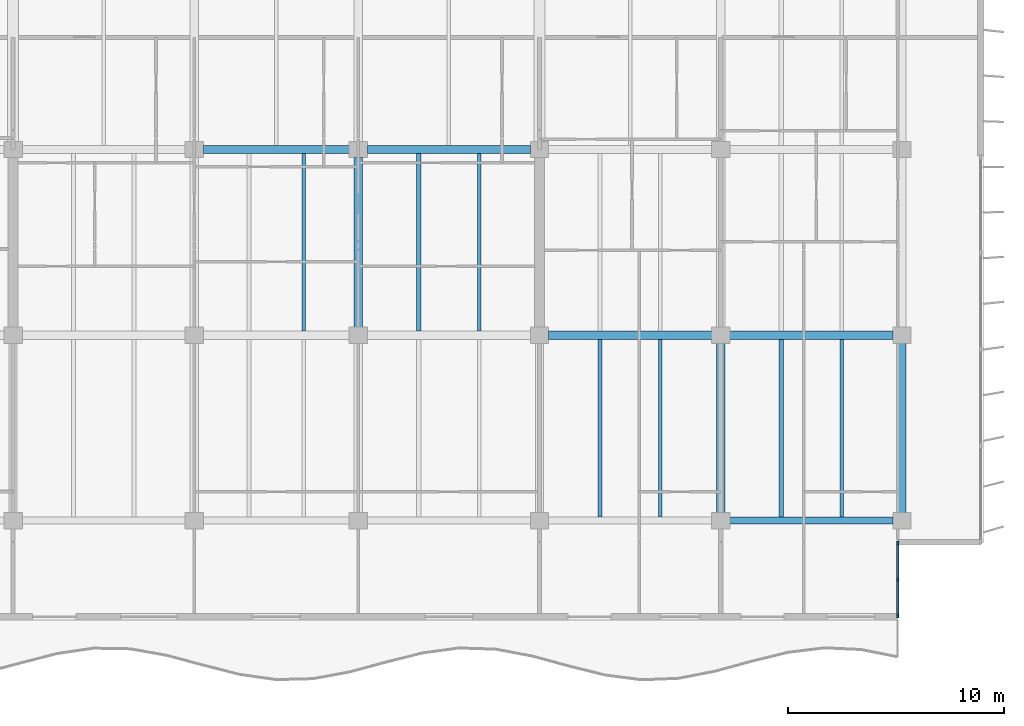
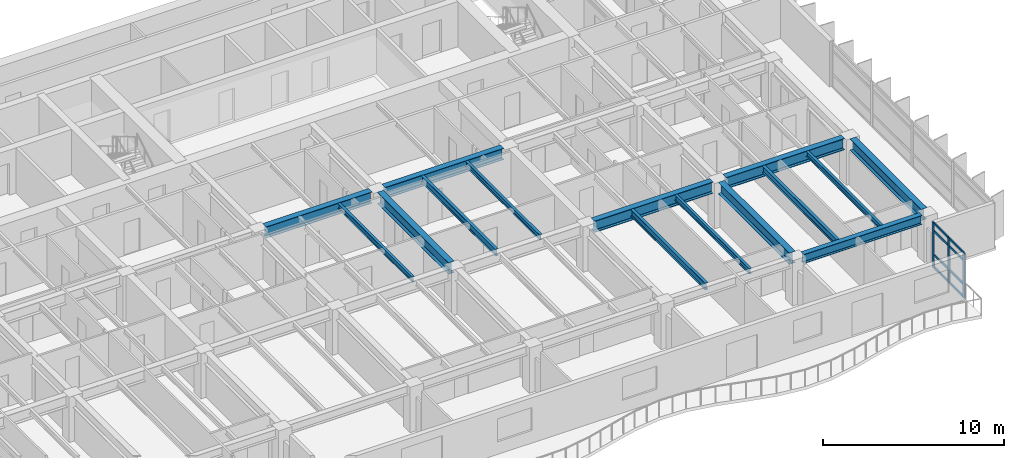
# One storey, part 4 of 18: 15 beams, 11 members, 1 element without a shape of its own.
"""IFC4 building model written with IfcOpenShell, lengths in metres."""

from ifc_helpers import new_model, si_unit, direction, frame, origin, origin_2d, place, context, subcontext, project, spatial, rectangle, i_section, extrude, material, layer, layer_set, material_profile, profile_set, type_object, element, aggregate, save


model = new_model("IFC4")

# Units and contexts
model_context = context("Model", 3, precision=1e-05, world=origin(), true_north=direction((0.0, 1.0)))
body_context = subcontext(model_context, "Body", "Model", "MODEL_VIEW")
ifc_project = project(units=[si_unit("LENGTHUNIT", "METRE"), si_unit("AREAUNIT", "SQUARE_METRE"), si_unit("VOLUMEUNIT", "CUBIC_METRE"), si_unit("PLANEANGLEUNIT", "RADIAN"), si_unit("MASSUNIT", "GRAM", prefix="KILO")], contexts=[model_context])

# Site, building, storey
site_placement = place(None, origin())
site = spatial("IfcSite", under=ifc_project, at=site_placement, CompositionType="ELEMENT")
building_placement = place(site_placement, origin())
building = spatial("IfcBuilding", under=site, at=building_placement, Name="Caelmar Bay Residences", CompositionType="ELEMENT")
storey_placement = place(building_placement, frame((0.0, 0.0, 173.699951171875)))
storey = spatial("IfcBuildingStorey", under=building, at=storey_placement, Name="L48", CompositionType="ELEMENT", Elevation=173.699951171875)

# Beams
ifc_material_1 = material(Name="Steel ASTM A992 Grade 50", Category="steel")
ifc_material_profile_1 = material_profile(ifc_material_1, i_section(OverallWidth=0.381103515625, OverallDepth=0.77197265625, WebThickness=0.0166015625, FlangeThickness=0.027099609375, FilletRadius=0.0166015625, at=origin_2d()), Name="W30X173")
ifc_profile_set_1 = profile_set([ifc_material_profile_1], Name="Steel ASTM A992 Grade 50")
beam_type_1 = type_object("IfcBeamType", Name="BM-GRD-W30X173", PredefinedType="BEAM", material=ifc_profile_set_1)
for number, where, z_axis, x_axis, name in (
    (1, (51.514892578125, 20.800048828125, 2.6640625), (1.0, 0.0, 0.0), (0.0, 1.0, 0.0), "L48 East-West Girder Y=20.80 (51.1-59.5)"),
    (2, (59.9150390625, 20.800048828125, 2.6640625), (1.0, 0.0, 0.0), (0.0, 1.0, 0.0), "L48 East-West Girder Y=20.80 (59.5-67.9)"),
):
    element("IfcBeam", number, at=place(storey_placement, frame(where, z_axis=z_axis, x_axis=x_axis)), inside=storey, type_object=beam_type_1, Name=name, PredefinedType="BEAM", context=body_context, shape_type="SweptSolid", body=[
        extrude(i_section(OverallWidth=0.381103515625, OverallDepth=0.77197265625, WebThickness=0.0166015625, FlangeThickness=0.027099609375, FilletRadius=0.0166015625, at=origin_2d()), origin(), (0.0, 0.0, 1.0), 7.570068359375),
    ])
beam_1_placement = place(storey_placement, frame((35.514892578125, 29.39990234375, 2.6640625), z_axis=(1.0, 0.0, 0.0), x_axis=(0.0, 1.0, 0.0)))
element("IfcBeam", 3, at=beam_1_placement, inside=storey, type_object=beam_type_1, Name="L48 East-West Girder Y=29.40 (35.1-42.7)", PredefinedType="BEAM", context=body_context, shape_type="SweptSolid", body=[
    extrude(i_section(OverallWidth=0.381103515625, OverallDepth=0.77197265625, WebThickness=0.0166015625, FlangeThickness=0.027099609375, FilletRadius=0.0166015625, at=origin_2d()), origin(), (0.0, 0.0, 1.0), 6.77001953125),
])
beam_2_placement = place(storey_placement, frame((43.114990234375, 29.39990234375, 2.6640625), z_axis=(1.0, 0.0, 0.0), x_axis=(0.0, 1.0, 0.0)))
element("IfcBeam", 4, at=beam_2_placement, inside=storey, type_object=beam_type_1, Name="L48 East-West Girder Y=29.40 (42.7-51.1)", PredefinedType="BEAM", context=body_context, shape_type="SweptSolid", body=[
    extrude(i_section(OverallWidth=0.381103515625, OverallDepth=0.77197265625, WebThickness=0.0166015625, FlangeThickness=0.027099609375, FilletRadius=0.0166015625, at=origin_2d()), origin(), (0.0, 0.0, 1.0), 7.570068359375),
])
beam_3_placement = place(storey_placement, frame((42.699951171875, 21.1650390625, 2.6640625), z_axis=(0.0, 1.0, 0.0), x_axis=(-1.0, 0.0, 0.0)))
element("IfcBeam", 5, at=beam_3_placement, inside=storey, type_object=beam_type_1, Name="L48 North-South Girder X=42.70 (20.8-29.4)", PredefinedType="BEAM", context=body_context, shape_type="SweptSolid", body=[
    extrude(i_section(OverallWidth=0.381103515625, OverallDepth=0.77197265625, WebThickness=0.0166015625, FlangeThickness=0.027099609375, FilletRadius=0.0166015625, at=origin_2d()), origin(), (0.0, 0.0, 1.0), 7.869873046875),
])
for number, where, z_axis, x_axis, name in (
    (6, (59.5, 12.56494140625, 2.6640625), (0.0, 1.0, 0.0), (-1.0, 0.0, 0.0), "L48 North-South Girder X=59.50 (12.2-20.8)"),
    (7, (67.89990234375, 12.56494140625, 2.6640625), (0.0, 1.0, 0.0), (-1.0, 0.0, 0.0), "L48 North-South Girder X=67.90 (12.2-20.8)"),
):
    element("IfcBeam", number, at=place(storey_placement, frame(where, z_axis=z_axis, x_axis=x_axis)), inside=storey, type_object=beam_type_1, Name=name, PredefinedType="BEAM", context=body_context, shape_type="SweptSolid", body=[
        extrude(i_section(OverallWidth=0.381103515625, OverallDepth=0.77197265625, WebThickness=0.0166015625, FlangeThickness=0.027099609375, FilletRadius=0.0166015625, at=origin_2d()), origin(), (0.0, 0.0, 1.0), 7.8701171875),
    ])
ifc_material_profile_2 = material_profile(ifc_material_1, i_section(OverallWidth=0.1708984375, OverallDepth=0.35595703125, WebThickness=0.007080078125, FlangeThickness=0.01171875, FilletRadius=0.007568359375, at=origin_2d()), Name="W14X34")
ifc_profile_set_2 = profile_set([ifc_material_profile_2], Name="Steel ASTM A992 Grade 50")
beam_type_2 = type_object("IfcBeamType", Name="BM-JST-W14X34", PredefinedType="JOIST", material=ifc_profile_set_2)
for number, where, z_axis, x_axis, name in (
    (8, (56.699951171875, 12.362548828125, 2.8720703125), (0.0, 1.0, 0.0), (-1.0, 0.0, 0.0), "L48 Composite Floor Joist 12"),
    (9, (65.10009765625, 12.362548828125, 2.8720703125), (0.0, 1.0, 0.0), (-1.0, 0.0, 0.0), "L48 Composite Floor Joist 14"),
):
    element("IfcBeam", number, at=place(storey_placement, frame(where, z_axis=z_axis, x_axis=x_axis)), inside=storey, type_object=beam_type_2, Name=name, PredefinedType="JOIST", context=body_context, shape_type="SweptSolid", body=[
        extrude(i_section(OverallWidth=0.1708984375, OverallDepth=0.35595703125, WebThickness=0.007080078125, FlangeThickness=0.01171875, FilletRadius=0.007568359375, at=origin_2d()), origin(), (0.0, 0.0, 1.0), 8.2470703125),
    ])
for number, where, z_axis, x_axis, name in (
    (10, (40.166748046875, 20.990478515625, 2.8720703125), (0.0, 1.0, 0.0), (-1.0, 0.0, 0.0), "L48 Composite Floor Joist 22"),
    (11, (48.300048828125, 20.990478515625, 2.8720703125), (0.0, 1.0, 0.0), (-1.0, 0.0, 0.0), "L48 Composite Floor Joist 24"),
):
    element("IfcBeam", number, at=place(storey_placement, frame(where, z_axis=z_axis, x_axis=x_axis)), inside=storey, type_object=beam_type_2, Name=name, PredefinedType="JOIST", context=body_context, shape_type="SweptSolid", body=[
        extrude(i_section(OverallWidth=0.1708984375, OverallDepth=0.35595703125, WebThickness=0.007080078125, FlangeThickness=0.01171875, FilletRadius=0.007568359375, at=origin_2d()), origin(), (0.0, 0.0, 1.0), 8.218994140625),
    ])
ifc_material_profile_3 = material_profile(ifc_material_1, i_section(OverallWidth=0.19091796875, OverallDepth=0.45703125, WebThickness=0.009033203125, FlangeThickness=0.014404296875, FilletRadius=0.01025390625, at=origin_2d()), Name="W18X50")
ifc_profile_set_3 = profile_set([ifc_material_profile_3], Name="Steel ASTM A992 Grade 50")
beam_type_3 = type_object("IfcBeamType", Name="BM-JST-W18X50", PredefinedType="JOIST", material=ifc_profile_set_3)
for number, where, z_axis, x_axis, name in (
    (12, (53.89990234375, 12.362548828125, 2.821533203125), (0.0, 1.0, 0.0), (-1.0, 0.0, 0.0), "L48 Composite Floor Joist 11"),
    (13, (62.300048828125, 12.362548828125, 2.821533203125), (0.0, 1.0, 0.0), (-1.0, 0.0, 0.0), "L48 Composite Floor Joist 13"),
):
    element("IfcBeam", number, at=place(storey_placement, frame(where, z_axis=z_axis, x_axis=x_axis)), inside=storey, type_object=beam_type_3, Name=name, PredefinedType="JOIST", context=body_context, shape_type="SweptSolid", body=[
        extrude(i_section(OverallWidth=0.19091796875, OverallDepth=0.45703125, WebThickness=0.009033203125, FlangeThickness=0.014404296875, FilletRadius=0.01025390625, at=origin_2d()), origin(), (0.0, 0.0, 1.0), 8.2470703125),
    ])
beam_4_placement = place(storey_placement, frame((45.5, 20.990478515625, 2.821533203125), z_axis=(0.0, 1.0, 0.0), x_axis=(-1.0, 0.0, 0.0)))
element("IfcBeam", 14, at=beam_4_placement, inside=storey, type_object=beam_type_3, Name="L48 Composite Floor Joist 23", PredefinedType="JOIST", context=body_context, shape_type="SweptSolid", body=[
    extrude(i_section(OverallWidth=0.19091796875, OverallDepth=0.45703125, WebThickness=0.009033203125, FlangeThickness=0.014404296875, FilletRadius=0.01025390625, at=origin_2d()), origin(), (0.0, 0.0, 1.0), 8.218994140625),
])
ifc_material_profile_4 = material_profile(ifc_material_1, i_section(OverallWidth=0.324951171875, OverallDepth=0.616943359375, WebThickness=0.013916015625, FlangeThickness=0.021484375, FilletRadius=0.0126953125, at=origin_2d()), Name="W24X117")
ifc_profile_set_4 = profile_set([ifc_material_profile_4], Name="Steel ASTM A992 Grade 50")
beam_type_4 = type_object("IfcBeamType", Name="BM-SPN-W24X117", PredefinedType="SPANDREL", material=ifc_profile_set_4)
beam_5_placement = place(storey_placement, frame((59.9150390625, 12.199951171875, 2.741455078125), z_axis=(1.0, 0.0, 0.0), x_axis=(0.0, 1.0, 0.0)))
element("IfcBeam", 15, at=beam_5_placement, inside=storey, type_object=beam_type_4, Name="L48 East-West Girder Y=12.20 (59.5-67.9)", PredefinedType="SPANDREL", context=body_context, shape_type="SweptSolid", body=[
    extrude(i_section(OverallWidth=0.324951171875, OverallDepth=0.616943359375, WebThickness=0.013916015625, FlangeThickness=0.021484375, FilletRadius=0.0126953125, at=origin_2d()), origin(), (0.0, 0.0, 1.0), 7.570068359375),
])

# Curtain wall, members
ifc_material_2 = material(Name="Anodised bronze aluminium 6063-T6 and laminated glass", Category="aluminium")
ifc_layer = layer(ifc_material_2, 0.179931640625)
ifc_layer_set = layer_set([ifc_layer], Name="Anodised bronze aluminium 6063-T6 and laminated glass")
curtain_wall_type = type_object("IfcCurtainWallType", Name="CW6-NTC", PredefinedType="NOTDEFINED", material=ifc_layer_set)
curtain_wall_placement = place(storey_placement, origin())
curtain_wall = element("IfcCurtainWall", 16, at=curtain_wall_placement, inside=storey, type_object=curtain_wall_type, Name="CW6 curtain wall L48", PredefinedType="NOTDEFINED")
ifc_material_3 = material(Name="Anodised bronze aluminium 6063-T6", Category="aluminium")
ifc_material_profile_5 = material_profile(ifc_material_3, rectangle(XDim=0.080078125, YDim=0.179931640625, at=origin_2d()), Name="CWM-80X180")
ifc_profile_set_5 = profile_set([ifc_material_profile_5], Name="Anodised bronze aluminium 6063-T6")
member_type_1 = type_object("IfcMemberType", Name="CWM-180", PredefinedType="MULLION", material=ifc_profile_set_5)
member_1_placement = place(storey_placement, frame((67.699951171875, 7.7900390625, 0.0), z_axis=(0.0, 0.0, 1.0), x_axis=(-1.0, 0.0, 0.0)))
member_1 = element("IfcMember", 17, at=member_1_placement, type_object=member_type_1, Name="CW6 mullion 1", PredefinedType="MULLION", context=body_context, shape_type="SweptSolid", body=[
    extrude(rectangle(XDim=0.080078125, YDim=0.179931640625, at=origin_2d()), origin(), (0.0, 0.0, 1.0), 3.050048828125),
])
member_2_placement = place(storey_placement, frame((67.699951171875, 9.47509765625, 0.0), z_axis=(0.0, 0.0, 1.0), x_axis=(-1.0, 0.0, 0.0)))
member_2 = element("IfcMember", 18, at=member_2_placement, type_object=member_type_1, Name="CW6 mullion 2", PredefinedType="MULLION", context=body_context, shape_type="SweptSolid", body=[
    extrude(rectangle(XDim=0.080078125, YDim=0.179931640625, at=origin_2d()), origin(), (0.0, 0.0, 1.0), 3.050048828125),
])
member_3_placement = place(storey_placement, frame((67.699951171875, 11.159912109375, 0.0), z_axis=(0.0, 0.0, 1.0), x_axis=(-1.0, 0.0, 0.0)))
member_3 = element("IfcMember", 19, at=member_3_placement, type_object=member_type_1, Name="CW6 mullion 3", PredefinedType="MULLION", context=body_context, shape_type="SweptSolid", body=[
    extrude(rectangle(XDim=0.080078125, YDim=0.179931640625, at=origin_2d()), origin(), (0.0, 0.0, 1.0), 3.050048828125),
])
ifc_material_profile_6 = material_profile(ifc_material_3, rectangle(XDim=0.080078125, YDim=0.139892578125, at=origin_2d()), Name="CWT-80X140")
ifc_profile_set_6 = profile_set([ifc_material_profile_6], Name="Anodised bronze aluminium 6063-T6")
member_type_2 = type_object("IfcMemberType", Name="CWT-140", PredefinedType="NOTDEFINED", material=ifc_profile_set_6)
member_4_placement = place(storey_placement, frame((67.699951171875, 7.830078125, 0.0400390625), z_axis=(0.0, 1.0, 0.0), x_axis=(-1.0, 0.0, 0.0)))
member_4 = element("IfcMember", 20, at=member_4_placement, type_object=member_type_2, Name="CW6 transom 1.1", ObjectType="TRANSOM", PredefinedType="USERDEFINED", context=body_context, shape_type="SweptSolid", body=[
    extrude(rectangle(XDim=0.080078125, YDim=0.139892578125, at=origin_2d()), origin(), (0.0, 0.0, 1.0), 1.60498046875),
])
member_5_placement = place(storey_placement, frame((67.699951171875, 7.830078125, 0.900146484375), z_axis=(0.0, 1.0, 0.0), x_axis=(-1.0, 0.0, 0.0)))
member_5 = element("IfcMember", 21, at=member_5_placement, type_object=member_type_2, Name="CW6 transom 1.2", ObjectType="TRANSOM", PredefinedType="USERDEFINED", context=body_context, shape_type="SweptSolid", body=[
    extrude(rectangle(XDim=0.080078125, YDim=0.139892578125, at=origin_2d()), origin(), (0.0, 0.0, 1.0), 1.60498046875),
])
member_6_placement = place(storey_placement, frame((67.699951171875, 7.830078125, 2.5), z_axis=(0.0, 1.0, 0.0), x_axis=(-1.0, 0.0, 0.0)))
member_6 = element("IfcMember", 22, at=member_6_placement, type_object=member_type_2, Name="CW6 transom 1.3", ObjectType="TRANSOM", PredefinedType="USERDEFINED", context=body_context, shape_type="SweptSolid", body=[
    extrude(rectangle(XDim=0.080078125, YDim=0.139892578125, at=origin_2d()), origin(), (0.0, 0.0, 1.0), 1.60498046875),
])
member_7_placement = place(storey_placement, frame((67.699951171875, 7.830078125, 3.010009765625), z_axis=(0.0, 1.0, 0.0), x_axis=(-1.0, 0.0, 0.0)))
member_7 = element("IfcMember", 23, at=member_7_placement, type_object=member_type_2, Name="CW6 transom 1.4", ObjectType="TRANSOM", PredefinedType="USERDEFINED", context=body_context, shape_type="SweptSolid", body=[
    extrude(rectangle(XDim=0.080078125, YDim=0.139892578125, at=origin_2d()), origin(), (0.0, 0.0, 1.0), 1.60498046875),
])
member_8_placement = place(storey_placement, frame((67.699951171875, 9.514892578125, 0.0400390625), z_axis=(0.0, 1.0, 0.0), x_axis=(-1.0, 0.0, 0.0)))
member_8 = element("IfcMember", 24, at=member_8_placement, type_object=member_type_2, Name="CW6 transom 2.1", ObjectType="TRANSOM", PredefinedType="USERDEFINED", context=body_context, shape_type="SweptSolid", body=[
    extrude(rectangle(XDim=0.080078125, YDim=0.139892578125, at=origin_2d()), origin(), (0.0, 0.0, 1.0), 1.605224609375),
])
member_9_placement = place(storey_placement, frame((67.699951171875, 9.514892578125, 0.900146484375), z_axis=(0.0, 1.0, 0.0), x_axis=(-1.0, 0.0, 0.0)))
member_9 = element("IfcMember", 25, at=member_9_placement, type_object=member_type_2, Name="CW6 transom 2.2", ObjectType="TRANSOM", PredefinedType="USERDEFINED", context=body_context, shape_type="SweptSolid", body=[
    extrude(rectangle(XDim=0.080078125, YDim=0.139892578125, at=origin_2d()), origin(), (0.0, 0.0, 1.0), 1.605224609375),
])
member_10_placement = place(storey_placement, frame((67.699951171875, 9.514892578125, 2.5), z_axis=(0.0, 1.0, 0.0), x_axis=(-1.0, 0.0, 0.0)))
member_10 = element("IfcMember", 26, at=member_10_placement, type_object=member_type_2, Name="CW6 transom 2.3", ObjectType="TRANSOM", PredefinedType="USERDEFINED", context=body_context, shape_type="SweptSolid", body=[
    extrude(rectangle(XDim=0.080078125, YDim=0.139892578125, at=origin_2d()), origin(), (0.0, 0.0, 1.0), 1.605224609375),
])
member_11_placement = place(storey_placement, frame((67.699951171875, 9.514892578125, 3.010009765625), z_axis=(0.0, 1.0, 0.0), x_axis=(-1.0, 0.0, 0.0)))
member_11 = element("IfcMember", 27, at=member_11_placement, type_object=member_type_2, Name="CW6 transom 2.4", ObjectType="TRANSOM", PredefinedType="USERDEFINED", context=body_context, shape_type="SweptSolid", body=[
    extrude(rectangle(XDim=0.080078125, YDim=0.139892578125, at=origin_2d()), origin(), (0.0, 0.0, 1.0), 1.605224609375),
])
aggregate(curtain_wall, [member_1, member_2, member_3, member_4, member_5, member_6, member_7, member_8, member_9, member_10, member_11])

save(model, "model.ifc")
